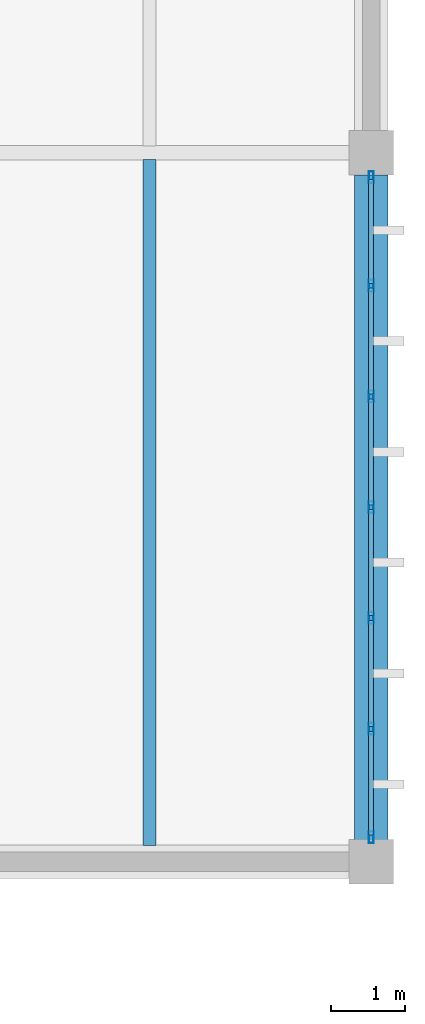
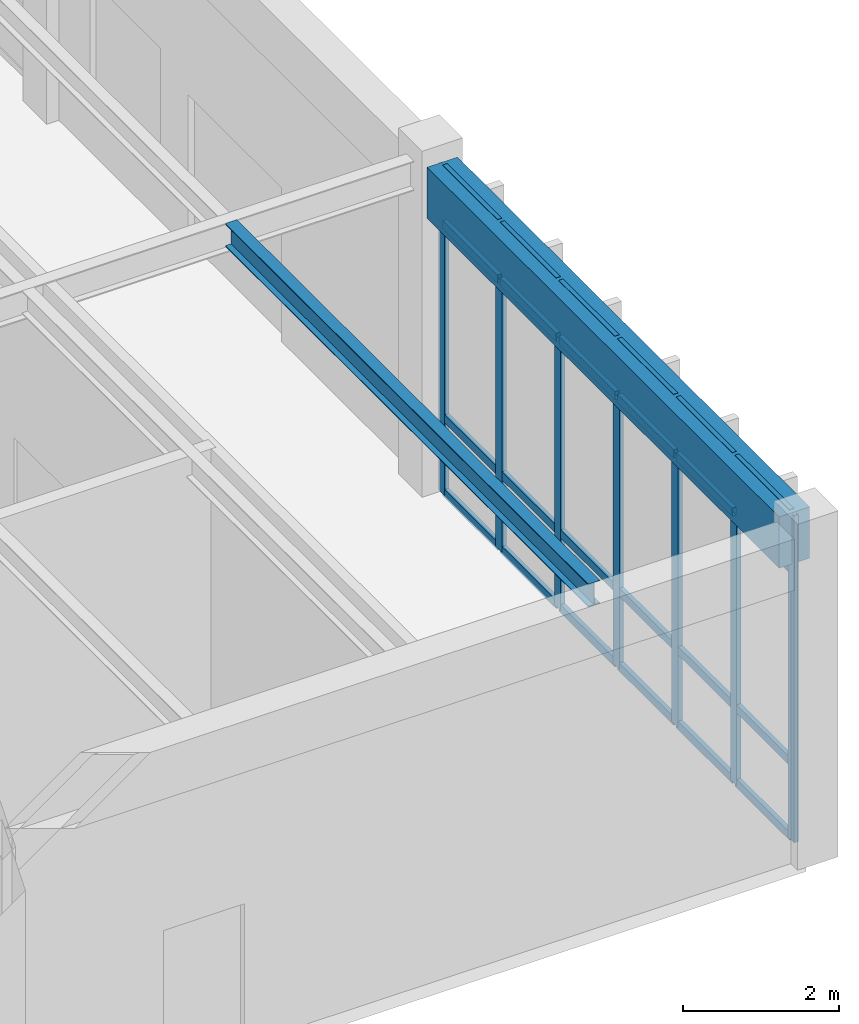
# One storey, part 94 of 188: 31 members, 2 beams, 1 element without a shape of its own.
"""IFC4 building model written with IfcOpenShell, lengths in metres."""

from ifc_helpers import new_model, si_unit, direction, frame, origin, origin_2d, place, context, subcontext, project, spatial, rectangle, hollow_rectangle, i_section, extrude, material, layer, layer_set, material_profile, profile_set, type_object, element, aggregate, save


model = new_model("IFC4")

# Units and contexts
model_context = context("Model", 3, precision=1e-05, world=origin(), true_north=direction((0.0, 1.0)))
body_context = subcontext(model_context, "Body", "Model", "MODEL_VIEW")
ifc_project = project(units=[si_unit("LENGTHUNIT", "METRE"), si_unit("AREAUNIT", "SQUARE_METRE"), si_unit("VOLUMEUNIT", "CUBIC_METRE"), si_unit("PLANEANGLEUNIT", "RADIAN"), si_unit("MASSUNIT", "GRAM", prefix="KILO")], contexts=[model_context])

# Site, building, storey
site_placement = place(None, origin())
site = spatial("IfcSite", under=ifc_project, at=site_placement, CompositionType="ELEMENT")
building_placement = place(site_placement, origin())
building = spatial("IfcBuilding", under=site, at=building_placement, Name="Pandanus Reach Market Hall", CompositionType="ELEMENT")
storey_placement = place(building_placement, origin())
storey = spatial("IfcBuildingStorey", under=building, at=storey_placement, Name="L00", CompositionType="ELEMENT", Elevation=0.0)

# Beam
ifc_material_1 = material(Name="Concrete N40 (40 MPa)", Category="concrete")
ifc_material_profile_1 = material_profile(ifc_material_1, rectangle(XDim=0.449951171875, YDim=0.800048828125, at=origin_2d()), Name="RC450x800", Category="LoadBearing")
ifc_profile_set_1 = profile_set([ifc_material_profile_1], Name="Concrete N40 (40 MPa)")
beam_type_1 = type_object("IfcBeamType", Name="BM-RC450-E", PredefinedType="SPANDREL", material=ifc_profile_set_1)
beam_1_placement = place(storey_placement, frame((180.0, 0.298095703125, 4.72509765625), z_axis=(0.0, 1.0, 0.0), x_axis=(-1.0, 0.0, 0.0)))
element("IfcBeam", 1, at=beam_1_placement, inside=storey, type_object=beam_type_1, Name="Framing beam BM-RC450-E L00.218", PredefinedType="SPANDREL", context=body_context, shape_type="SweptSolid", body=[
    extrude(rectangle(XDim=0.449951171875, YDim=0.800048828125, at=origin_2d()), origin(), (0.0, 0.0, 1.0), 9.00390625),
])

# Curtain wall, members
ifc_material_2 = material(Name="Bronze anodised aluminium and low-E glass", Category="aluminium")
ifc_layer = layer(ifc_material_2, 0.159912109375, Name="CW-25")
ifc_layer_set = layer_set([ifc_layer], Name="Bronze anodised aluminium and low-E glass")
curtain_wall_type = type_object("IfcCurtainWallType", Name="CW-25", PredefinedType="NOTDEFINED", material=ifc_layer_set)
curtain_wall_placement = place(storey_placement, origin())
curtain_wall = element("IfcCurtainWall", 2, at=curtain_wall_placement, inside=storey, type_object=curtain_wall_type, Name="Glazed curtain wall CW-25 CW-0070", PredefinedType="NOTDEFINED")
ifc_material_3 = material(Name="Bronze anodised aluminium", Category="aluminium")
ifc_material_profile_2 = material_profile(ifc_material_3, hollow_rectangle(XDim=0.06494140625, YDim=0.159912109375, WallThickness=0.00390625, at=origin_2d()), Name="ALU65x160", Category="LoadBearing")
ifc_profile_set_2 = profile_set([ifc_material_profile_2], Name="Bronze anodised aluminium")
member_type_1 = type_object("IfcMemberType", Name="CW-M1", PredefinedType="MULLION", material=ifc_profile_set_2)
member_1_placement = place(storey_placement, frame((180.0, 0.33251953125, 0.0), z_axis=(0.0, 0.0, 1.0), x_axis=(-1.0, 0.0, 0.0)))
member_1 = element("IfcMember", 3, at=member_1_placement, type_object=member_type_1, Name="CW-25 mullion 1", PredefinedType="MULLION", context=body_context, shape_type="SweptSolid", body=[
    extrude(hollow_rectangle(XDim=0.06494140625, YDim=0.159912109375, WallThickness=0.00390625, at=origin_2d()), origin(), (0.0, 0.0, 1.0), 5.10009765625),
])
member_2_placement = place(storey_placement, frame((180.0, 1.800048828125, 0.0), z_axis=(0.0, 0.0, 1.0), x_axis=(-1.0, 0.0, 0.0)))
member_2 = element("IfcMember", 4, at=member_2_placement, type_object=member_type_1, Name="CW-25 mullion 2", PredefinedType="MULLION", context=body_context, shape_type="SweptSolid", body=[
    extrude(hollow_rectangle(XDim=0.06494140625, YDim=0.159912109375, WallThickness=0.00390625, at=origin_2d()), origin(), (0.0, 0.0, 1.0), 5.10009765625),
])
member_3_placement = place(storey_placement, frame((180.0, 3.300048828125, 0.0), z_axis=(0.0, 0.0, 1.0), x_axis=(-1.0, 0.0, 0.0)))
member_3 = element("IfcMember", 5, at=member_3_placement, type_object=member_type_1, Name="CW-25 mullion 3", PredefinedType="MULLION", context=body_context, shape_type="SweptSolid", body=[
    extrude(hollow_rectangle(XDim=0.06494140625, YDim=0.159912109375, WallThickness=0.00390625, at=origin_2d()), origin(), (0.0, 0.0, 1.0), 5.10009765625),
])
member_4_placement = place(storey_placement, frame((180.0, 4.800048828125, 0.0), z_axis=(0.0, 0.0, 1.0), x_axis=(-1.0, 0.0, 0.0)))
member_4 = element("IfcMember", 6, at=member_4_placement, type_object=member_type_1, Name="CW-25 mullion 4", PredefinedType="MULLION", context=body_context, shape_type="SweptSolid", body=[
    extrude(hollow_rectangle(XDim=0.06494140625, YDim=0.159912109375, WallThickness=0.00390625, at=origin_2d()), origin(), (0.0, 0.0, 1.0), 5.10009765625),
])
member_5_placement = place(storey_placement, frame((180.0, 6.300048828125, 0.0), z_axis=(0.0, 0.0, 1.0), x_axis=(-1.0, 0.0, 0.0)))
member_5 = element("IfcMember", 7, at=member_5_placement, type_object=member_type_1, Name="CW-25 mullion 5", PredefinedType="MULLION", context=body_context, shape_type="SweptSolid", body=[
    extrude(hollow_rectangle(XDim=0.06494140625, YDim=0.159912109375, WallThickness=0.00390625, at=origin_2d()), origin(), (0.0, 0.0, 1.0), 5.10009765625),
])
member_6_placement = place(storey_placement, frame((180.0, 7.800048828125, 0.0), z_axis=(0.0, 0.0, 1.0), x_axis=(-1.0, 0.0, 0.0)))
member_6 = element("IfcMember", 8, at=member_6_placement, type_object=member_type_1, Name="CW-25 mullion 6", PredefinedType="MULLION", context=body_context, shape_type="SweptSolid", body=[
    extrude(hollow_rectangle(XDim=0.06494140625, YDim=0.159912109375, WallThickness=0.00390625, at=origin_2d()), origin(), (0.0, 0.0, 1.0), 5.10009765625),
])
member_7_placement = place(storey_placement, frame((180.0, 9.267578125, 0.0), z_axis=(0.0, 0.0, 1.0), x_axis=(-1.0, 0.0, 0.0)))
member_7 = element("IfcMember", 9, at=member_7_placement, type_object=member_type_1, Name="CW-25 mullion 7", PredefinedType="MULLION", context=body_context, shape_type="SweptSolid", body=[
    extrude(hollow_rectangle(XDim=0.06494140625, YDim=0.159912109375, WallThickness=0.00390625, at=origin_2d()), origin(), (0.0, 0.0, 1.0), 5.10009765625),
])
ifc_material_profile_3 = material_profile(ifc_material_3, hollow_rectangle(XDim=0.06494140625, YDim=0.1298828125, WallThickness=0.00390625, at=origin_2d()), Name="ALU65x130", Category="LoadBearing")
ifc_profile_set_3 = profile_set([ifc_material_profile_3], Name="Bronze anodised aluminium")
member_type_2 = type_object("IfcMemberType", Name="CW-T1", PredefinedType="USERDEFINED", material=ifc_profile_set_3)
member_8_placement = place(storey_placement, frame((180.0, 0.364990234375, 0.032470703125), z_axis=(0.0, 1.0, 0.0), x_axis=(-1.0, 0.0, 0.0)))
member_8 = element("IfcMember", 10, at=member_8_placement, type_object=member_type_2, Name="CW-25 transom 1.1", ObjectType="TRANSOM", PredefinedType="USERDEFINED", context=body_context, shape_type="SweptSolid", body=[
    extrude(hollow_rectangle(XDim=0.06494140625, YDim=0.1298828125, WallThickness=0.00390625, at=origin_2d()), origin(), (0.0, 0.0, 1.0), 1.402587890625),
])
member_9_placement = place(storey_placement, frame((180.0, 0.364990234375, 1.199951171875), z_axis=(0.0, 1.0, 0.0), x_axis=(-1.0, 0.0, 0.0)))
member_9 = element("IfcMember", 11, at=member_9_placement, type_object=member_type_2, Name="CW-25 transom 1.2", ObjectType="TRANSOM", PredefinedType="USERDEFINED", context=body_context, shape_type="SweptSolid", body=[
    extrude(hollow_rectangle(XDim=0.06494140625, YDim=0.1298828125, WallThickness=0.00390625, at=origin_2d()), origin(), (0.0, 0.0, 1.0), 1.402587890625),
])
member_10_placement = place(storey_placement, frame((180.0, 0.364990234375, 4.199951171875), z_axis=(0.0, 1.0, 0.0), x_axis=(-1.0, 0.0, 0.0)))
member_10 = element("IfcMember", 12, at=member_10_placement, type_object=member_type_2, Name="CW-25 transom 1.3", ObjectType="TRANSOM", PredefinedType="USERDEFINED", context=body_context, shape_type="SweptSolid", body=[
    extrude(hollow_rectangle(XDim=0.06494140625, YDim=0.1298828125, WallThickness=0.00390625, at=origin_2d()), origin(), (0.0, 0.0, 1.0), 1.402587890625),
])
member_11_placement = place(storey_placement, frame((180.0, 0.364990234375, 5.0673828125), z_axis=(0.0, 1.0, 0.0), x_axis=(-1.0, 0.0, 0.0)))
member_11 = element("IfcMember", 13, at=member_11_placement, type_object=member_type_2, Name="CW-25 transom 1.4", ObjectType="TRANSOM", PredefinedType="USERDEFINED", context=body_context, shape_type="SweptSolid", body=[
    extrude(hollow_rectangle(XDim=0.06494140625, YDim=0.1298828125, WallThickness=0.00390625, at=origin_2d()), origin(), (0.0, 0.0, 1.0), 1.402587890625),
])
member_12_placement = place(storey_placement, frame((180.0, 1.83251953125, 0.032470703125), z_axis=(0.0, 1.0, 0.0), x_axis=(-1.0, 0.0, 0.0)))
member_12 = element("IfcMember", 14, at=member_12_placement, type_object=member_type_2, Name="CW-25 transom 2.1", ObjectType="TRANSOM", PredefinedType="USERDEFINED", context=body_context, shape_type="SweptSolid", body=[
    extrude(hollow_rectangle(XDim=0.06494140625, YDim=0.1298828125, WallThickness=0.00390625, at=origin_2d()), origin(), (0.0, 0.0, 1.0), 1.43505859375),
])
member_13_placement = place(storey_placement, frame((180.0, 1.83251953125, 1.199951171875), z_axis=(0.0, 1.0, 0.0), x_axis=(-1.0, 0.0, 0.0)))
member_13 = element("IfcMember", 15, at=member_13_placement, type_object=member_type_2, Name="CW-25 transom 2.2", ObjectType="TRANSOM", PredefinedType="USERDEFINED", context=body_context, shape_type="SweptSolid", body=[
    extrude(hollow_rectangle(XDim=0.06494140625, YDim=0.1298828125, WallThickness=0.00390625, at=origin_2d()), origin(), (0.0, 0.0, 1.0), 1.43505859375),
])
member_14_placement = place(storey_placement, frame((180.0, 1.83251953125, 4.199951171875), z_axis=(0.0, 1.0, 0.0), x_axis=(-1.0, 0.0, 0.0)))
member_14 = element("IfcMember", 16, at=member_14_placement, type_object=member_type_2, Name="CW-25 transom 2.3", ObjectType="TRANSOM", PredefinedType="USERDEFINED", context=body_context, shape_type="SweptSolid", body=[
    extrude(hollow_rectangle(XDim=0.06494140625, YDim=0.1298828125, WallThickness=0.00390625, at=origin_2d()), origin(), (0.0, 0.0, 1.0), 1.43505859375),
])
member_15_placement = place(storey_placement, frame((180.0, 1.83251953125, 5.0673828125), z_axis=(0.0, 1.0, 0.0), x_axis=(-1.0, 0.0, 0.0)))
member_15 = element("IfcMember", 17, at=member_15_placement, type_object=member_type_2, Name="CW-25 transom 2.4", ObjectType="TRANSOM", PredefinedType="USERDEFINED", context=body_context, shape_type="SweptSolid", body=[
    extrude(hollow_rectangle(XDim=0.06494140625, YDim=0.1298828125, WallThickness=0.00390625, at=origin_2d()), origin(), (0.0, 0.0, 1.0), 1.43505859375),
])
member_16_placement = place(storey_placement, frame((180.0, 3.33251953125, 0.032470703125), z_axis=(0.0, 1.0, 0.0), x_axis=(-1.0, 0.0, 0.0)))
member_16 = element("IfcMember", 18, at=member_16_placement, type_object=member_type_2, Name="CW-25 transom 3.1", ObjectType="TRANSOM", PredefinedType="USERDEFINED", context=body_context, shape_type="SweptSolid", body=[
    extrude(hollow_rectangle(XDim=0.06494140625, YDim=0.1298828125, WallThickness=0.00390625, at=origin_2d()), origin(), (0.0, 0.0, 1.0), 1.43505859375),
])
member_17_placement = place(storey_placement, frame((180.0, 3.33251953125, 1.199951171875), z_axis=(0.0, 1.0, 0.0), x_axis=(-1.0, 0.0, 0.0)))
member_17 = element("IfcMember", 19, at=member_17_placement, type_object=member_type_2, Name="CW-25 transom 3.2", ObjectType="TRANSOM", PredefinedType="USERDEFINED", context=body_context, shape_type="SweptSolid", body=[
    extrude(hollow_rectangle(XDim=0.06494140625, YDim=0.1298828125, WallThickness=0.00390625, at=origin_2d()), origin(), (0.0, 0.0, 1.0), 1.43505859375),
])
member_18_placement = place(storey_placement, frame((180.0, 3.33251953125, 4.199951171875), z_axis=(0.0, 1.0, 0.0), x_axis=(-1.0, 0.0, 0.0)))
member_18 = element("IfcMember", 20, at=member_18_placement, type_object=member_type_2, Name="CW-25 transom 3.3", ObjectType="TRANSOM", PredefinedType="USERDEFINED", context=body_context, shape_type="SweptSolid", body=[
    extrude(hollow_rectangle(XDim=0.06494140625, YDim=0.1298828125, WallThickness=0.00390625, at=origin_2d()), origin(), (0.0, 0.0, 1.0), 1.43505859375),
])
member_19_placement = place(storey_placement, frame((180.0, 3.33251953125, 5.0673828125), z_axis=(0.0, 1.0, 0.0), x_axis=(-1.0, 0.0, 0.0)))
member_19 = element("IfcMember", 21, at=member_19_placement, type_object=member_type_2, Name="CW-25 transom 3.4", ObjectType="TRANSOM", PredefinedType="USERDEFINED", context=body_context, shape_type="SweptSolid", body=[
    extrude(hollow_rectangle(XDim=0.06494140625, YDim=0.1298828125, WallThickness=0.00390625, at=origin_2d()), origin(), (0.0, 0.0, 1.0), 1.43505859375),
])
member_20_placement = place(storey_placement, frame((180.0, 4.83251953125, 0.032470703125), z_axis=(0.0, 1.0, 0.0), x_axis=(-1.0, 0.0, 0.0)))
member_20 = element("IfcMember", 22, at=member_20_placement, type_object=member_type_2, Name="CW-25 transom 4.1", ObjectType="TRANSOM", PredefinedType="USERDEFINED", context=body_context, shape_type="SweptSolid", body=[
    extrude(hollow_rectangle(XDim=0.06494140625, YDim=0.1298828125, WallThickness=0.00390625, at=origin_2d()), origin(), (0.0, 0.0, 1.0), 1.43505859375),
])
member_21_placement = place(storey_placement, frame((180.0, 4.83251953125, 1.199951171875), z_axis=(0.0, 1.0, 0.0), x_axis=(-1.0, 0.0, 0.0)))
member_21 = element("IfcMember", 23, at=member_21_placement, type_object=member_type_2, Name="CW-25 transom 4.2", ObjectType="TRANSOM", PredefinedType="USERDEFINED", context=body_context, shape_type="SweptSolid", body=[
    extrude(hollow_rectangle(XDim=0.06494140625, YDim=0.1298828125, WallThickness=0.00390625, at=origin_2d()), origin(), (0.0, 0.0, 1.0), 1.43505859375),
])
member_22_placement = place(storey_placement, frame((180.0, 4.83251953125, 4.199951171875), z_axis=(0.0, 1.0, 0.0), x_axis=(-1.0, 0.0, 0.0)))
member_22 = element("IfcMember", 24, at=member_22_placement, type_object=member_type_2, Name="CW-25 transom 4.3", ObjectType="TRANSOM", PredefinedType="USERDEFINED", context=body_context, shape_type="SweptSolid", body=[
    extrude(hollow_rectangle(XDim=0.06494140625, YDim=0.1298828125, WallThickness=0.00390625, at=origin_2d()), origin(), (0.0, 0.0, 1.0), 1.43505859375),
])
member_23_placement = place(storey_placement, frame((180.0, 4.83251953125, 5.0673828125), z_axis=(0.0, 1.0, 0.0), x_axis=(-1.0, 0.0, 0.0)))
member_23 = element("IfcMember", 25, at=member_23_placement, type_object=member_type_2, Name="CW-25 transom 4.4", ObjectType="TRANSOM", PredefinedType="USERDEFINED", context=body_context, shape_type="SweptSolid", body=[
    extrude(hollow_rectangle(XDim=0.06494140625, YDim=0.1298828125, WallThickness=0.00390625, at=origin_2d()), origin(), (0.0, 0.0, 1.0), 1.43505859375),
])
member_24_placement = place(storey_placement, frame((180.0, 6.33251953125, 0.032470703125), z_axis=(0.0, 1.0, 0.0), x_axis=(-1.0, 0.0, 0.0)))
member_24 = element("IfcMember", 26, at=member_24_placement, type_object=member_type_2, Name="CW-25 transom 5.1", ObjectType="TRANSOM", PredefinedType="USERDEFINED", context=body_context, shape_type="SweptSolid", body=[
    extrude(hollow_rectangle(XDim=0.06494140625, YDim=0.1298828125, WallThickness=0.00390625, at=origin_2d()), origin(), (0.0, 0.0, 1.0), 1.43505859375),
])
member_25_placement = place(storey_placement, frame((180.0, 6.33251953125, 1.199951171875), z_axis=(0.0, 1.0, 0.0), x_axis=(-1.0, 0.0, 0.0)))
member_25 = element("IfcMember", 27, at=member_25_placement, type_object=member_type_2, Name="CW-25 transom 5.2", ObjectType="TRANSOM", PredefinedType="USERDEFINED", context=body_context, shape_type="SweptSolid", body=[
    extrude(hollow_rectangle(XDim=0.06494140625, YDim=0.1298828125, WallThickness=0.00390625, at=origin_2d()), origin(), (0.0, 0.0, 1.0), 1.43505859375),
])
member_26_placement = place(storey_placement, frame((180.0, 6.33251953125, 4.199951171875), z_axis=(0.0, 1.0, 0.0), x_axis=(-1.0, 0.0, 0.0)))
member_26 = element("IfcMember", 28, at=member_26_placement, type_object=member_type_2, Name="CW-25 transom 5.3", ObjectType="TRANSOM", PredefinedType="USERDEFINED", context=body_context, shape_type="SweptSolid", body=[
    extrude(hollow_rectangle(XDim=0.06494140625, YDim=0.1298828125, WallThickness=0.00390625, at=origin_2d()), origin(), (0.0, 0.0, 1.0), 1.43505859375),
])
member_27_placement = place(storey_placement, frame((180.0, 6.33251953125, 5.0673828125), z_axis=(0.0, 1.0, 0.0), x_axis=(-1.0, 0.0, 0.0)))
member_27 = element("IfcMember", 29, at=member_27_placement, type_object=member_type_2, Name="CW-25 transom 5.4", ObjectType="TRANSOM", PredefinedType="USERDEFINED", context=body_context, shape_type="SweptSolid", body=[
    extrude(hollow_rectangle(XDim=0.06494140625, YDim=0.1298828125, WallThickness=0.00390625, at=origin_2d()), origin(), (0.0, 0.0, 1.0), 1.43505859375),
])
member_28_placement = place(storey_placement, frame((180.0, 7.83251953125, 0.032470703125), z_axis=(0.0, 1.0, 0.0), x_axis=(-1.0, 0.0, 0.0)))
member_28 = element("IfcMember", 30, at=member_28_placement, type_object=member_type_2, Name="CW-25 transom 6.1", ObjectType="TRANSOM", PredefinedType="USERDEFINED", context=body_context, shape_type="SweptSolid", body=[
    extrude(hollow_rectangle(XDim=0.06494140625, YDim=0.1298828125, WallThickness=0.00390625, at=origin_2d()), origin(), (0.0, 0.0, 1.0), 1.402587890625),
])
member_29_placement = place(storey_placement, frame((180.0, 7.83251953125, 1.199951171875), z_axis=(0.0, 1.0, 0.0), x_axis=(-1.0, 0.0, 0.0)))
member_29 = element("IfcMember", 31, at=member_29_placement, type_object=member_type_2, Name="CW-25 transom 6.2", ObjectType="TRANSOM", PredefinedType="USERDEFINED", context=body_context, shape_type="SweptSolid", body=[
    extrude(hollow_rectangle(XDim=0.06494140625, YDim=0.1298828125, WallThickness=0.00390625, at=origin_2d()), origin(), (0.0, 0.0, 1.0), 1.402587890625),
])
member_30_placement = place(storey_placement, frame((180.0, 7.83251953125, 4.199951171875), z_axis=(0.0, 1.0, 0.0), x_axis=(-1.0, 0.0, 0.0)))
member_30 = element("IfcMember", 32, at=member_30_placement, type_object=member_type_2, Name="CW-25 transom 6.3", ObjectType="TRANSOM", PredefinedType="USERDEFINED", context=body_context, shape_type="SweptSolid", body=[
    extrude(hollow_rectangle(XDim=0.06494140625, YDim=0.1298828125, WallThickness=0.00390625, at=origin_2d()), origin(), (0.0, 0.0, 1.0), 1.402587890625),
])
member_31_placement = place(storey_placement, frame((180.0, 7.83251953125, 5.0673828125), z_axis=(0.0, 1.0, 0.0), x_axis=(-1.0, 0.0, 0.0)))
member_31 = element("IfcMember", 33, at=member_31_placement, type_object=member_type_2, Name="CW-25 transom 6.4", ObjectType="TRANSOM", PredefinedType="USERDEFINED", context=body_context, shape_type="SweptSolid", body=[
    extrude(hollow_rectangle(XDim=0.06494140625, YDim=0.1298828125, WallThickness=0.00390625, at=origin_2d()), origin(), (0.0, 0.0, 1.0), 1.402587890625),
])
aggregate(curtain_wall, [member_1, member_2, member_3, member_4, member_5, member_6, member_7, member_8, member_9, member_10, member_11, member_12, member_13, member_14, member_15, member_16, member_17, member_18, member_19, member_20, member_21, member_22, member_23, member_24, member_25, member_26, member_27, member_28, member_29, member_30, member_31])

# Beam
ifc_material_4 = material(Name="Steel Grade 350 (350 MPa)", Category="steel")
ifc_material_profile_4 = material_profile(ifc_material_4, i_section(OverallWidth=0.172119140625, OverallDepth=0.35888671875, WebThickness=0.008056640625, FlangeThickness=0.012939453125, at=origin_2d()), Name="360UB56.7", Category="LoadBearing")
ifc_profile_set_4 = profile_set([ifc_material_profile_4], Name="Steel Grade 350 (350 MPa)")
beam_type_2 = type_object("IfcBeamType", Name="JS-UB360H-I", PredefinedType="JOIST", material=ifc_profile_set_4)
beam_2_placement = place(storey_placement, frame((177.0, 0.222900390625, 4.945068359375), z_axis=(0.0, 1.0, 0.0), x_axis=(-1.0, 0.0, 0.0)))
element("IfcBeam", 34, at=beam_2_placement, inside=storey, type_object=beam_type_2, Name="Secondary joist JS-UB360H-I L00.284", PredefinedType="JOIST", context=body_context, shape_type="SweptSolid", body=[
    extrude(i_section(OverallWidth=0.172119140625, OverallDepth=0.35888671875, WebThickness=0.008056640625, FlangeThickness=0.012939453125, at=origin_2d()), origin(), (0.0, 0.0, 1.0), 9.28369140625),
])

save(model, "model.ifc")
